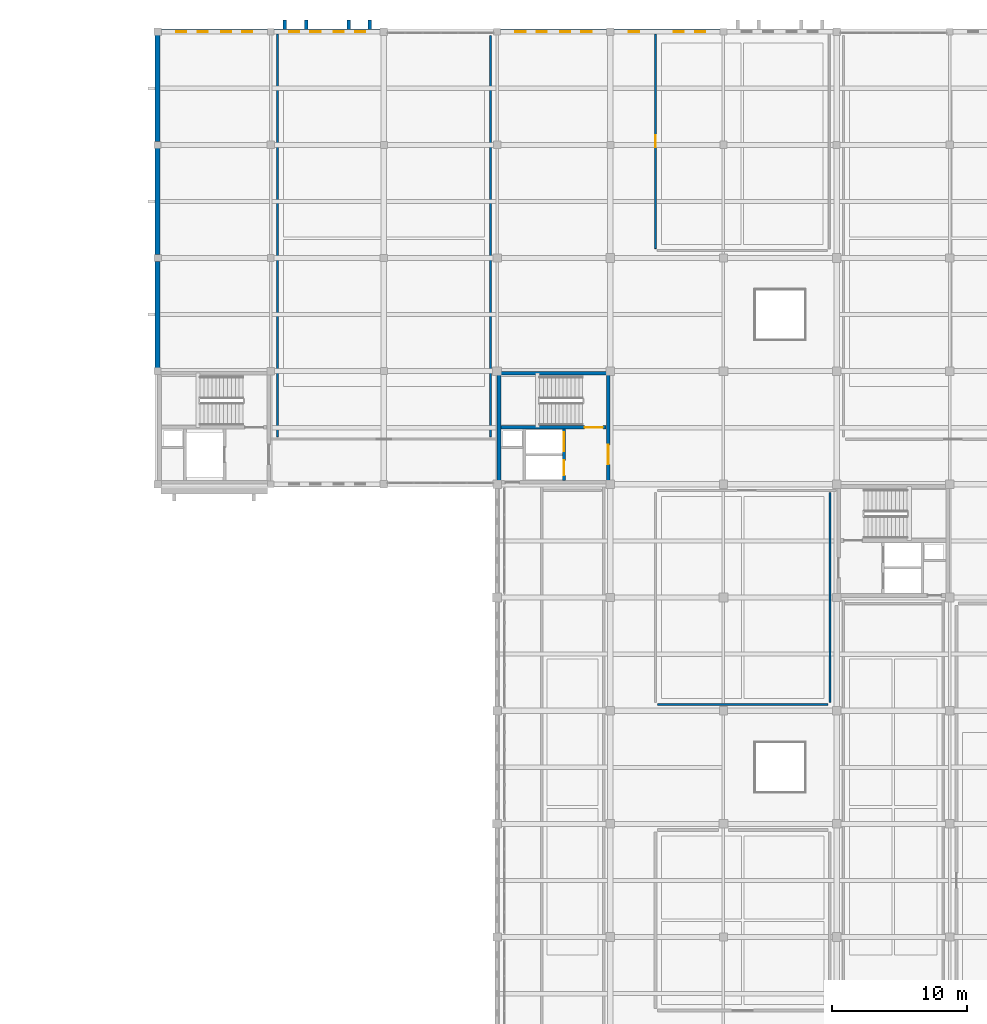
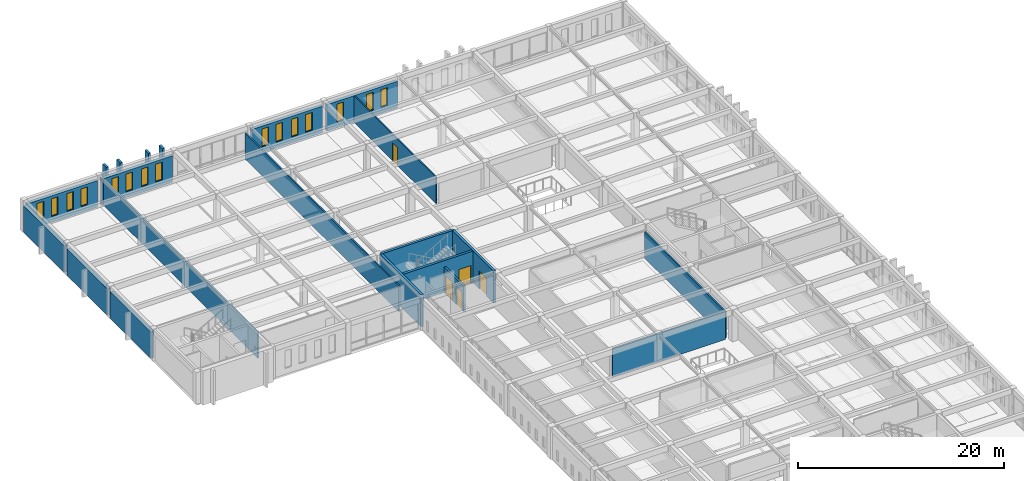
# One storey, part 37 of 47: 21 walls, 15 windows, 5 doors, 20 openings.
"""IFC4 building model written with IfcOpenShell, lengths in metres."""

from ifc_helpers import new_model, si_unit, direction, frame, frame_2d, origin, place, context, subcontext, project, spatial, rectangle, extrude, material, layer, layer_set, type_object, element, fill, save


model = new_model("IFC4")

# Units and contexts
model_context = context("Model", 3, precision=1e-05, world=origin(), true_north=direction((0.0, 1.0)))
body_context = subcontext(model_context, "Body", "Model", "MODEL_VIEW")
ifc_project = project(units=[si_unit("LENGTHUNIT", "METRE"), si_unit("AREAUNIT", "SQUARE_METRE"), si_unit("VOLUMEUNIT", "CUBIC_METRE"), si_unit("PLANEANGLEUNIT", "RADIAN"), si_unit("MASSUNIT", "GRAM", prefix="KILO")], contexts=[model_context])

# Site, building, storey
site_placement = place(None, origin())
site = spatial("IfcSite", under=ifc_project, at=site_placement, CompositionType="ELEMENT")
building_placement = place(site_placement, origin())
building = spatial("IfcBuilding", under=site, at=building_placement, Name="Kveldsbrygga Polytechnic", CompositionType="ELEMENT")
storey_placement = place(building_placement, frame((0.0, 0.0, 13.93994140625)))
storey = spatial("IfcBuildingStorey", under=building, at=storey_placement, Name="L03", CompositionType="ELEMENT", Elevation=13.93994140625)

# Walls
ifc_material_1 = material(Name="Fired clay brick masonry M10", Category="masonry")
ifc_layer_1 = layer(ifc_material_1, 0.360107421875)
ifc_layer_set_1 = layer_set([ifc_layer_1], Name="Fired clay brick masonry M10")
wall_type_1 = type_object("IfcWallType", Name="EW-BRICK-360", PredefinedType="SOLIDWALL", material=ifc_layer_set_1)
for number, where, z_axis, x_axis, name in (
    (1, (100.800048828125, 92.64501953125, 0.0), (0.0, 0.0, 1.0), (0.0, 1.0, 0.0), "Exterior Brick Wall EW-L03-Y-12-11"),
    (2, (100.800048828125, 101.06005859375, 0.0), (0.0, 0.0, 1.0), (0.0, 1.0, 0.0), "Exterior Brick Wall EW-L03-Y-12-12"),
):
    element("IfcWall", number, at=place(storey_placement, frame(where, z_axis=z_axis, x_axis=x_axis)), inside=storey, type_object=wall_type_1, Name=name, PredefinedType="SOLIDWALL", context=body_context, shape_type="SweptSolid", body=[
        extrude(rectangle(XDim=7.89501953125, YDim=0.360107421875, at=frame_2d((3.947509765625, 0.0))), origin(), (0.0, 0.0, 1.0), 3.150146484375),
    ])

# Wall, openings, windows
wall_1_placement = place(storey_placement, frame((101.06005859375, 117.60009765625, 0.0), z_axis=(0.0, 0.0, 1.0), x_axis=(1.0, 0.0, 0.0)))
wall_1 = element("IfcWall", 3, at=wall_1_placement, inside=storey, type_object=wall_type_1, Name="Exterior Brick Wall EW-L03-X-12-14", PredefinedType="SOLIDWALL", context=body_context, shape_type="SweptSolid", body=[
    extrude(rectangle(XDim=7.905029296875, YDim=0.360107421875, at=frame_2d((3.95263671875, 0.0))), origin(), (0.0, 0.0, 1.0), 3.150146484375),
])
opening_1_placement = place(wall_1_placement, frame((1.126953125, 0.0, 0.699951171875)))
opening_1 = element("IfcOpeningElement", 4, at=opening_1_placement, cuts=wall_1, Name="Opening W-27", PredefinedType="OPENING", context=body_context, shape_type="SweptSolid", body=[
    extrude(rectangle(XDim=0.75, YDim=2.10009765625, at=frame_2d((0.375, 1.050048828125))), frame((0.0, 0.18994140625, 0.0), z_axis=(0.0, -1.0, 0.0), x_axis=(1.0, 0.0, 0.0)), (0.0, 0.0, 1.0), 0.380126953125),
])
opening_2_placement = place(wall_1_placement, frame((2.7080078125, 0.0, 0.699951171875)))
opening_2 = element("IfcOpeningElement", 5, at=opening_2_placement, cuts=wall_1, Name="Opening W-27", PredefinedType="OPENING", context=body_context, shape_type="SweptSolid", body=[
    extrude(rectangle(XDim=0.75, YDim=2.10009765625, at=frame_2d((0.375, 1.050048828125))), frame((0.0, 0.18994140625, 0.0), z_axis=(0.0, -1.0, 0.0), x_axis=(1.0, 0.0, 0.0)), (0.0, 0.0, 1.0), 0.380126953125),
])
opening_3_placement = place(wall_1_placement, frame((4.447021484375, 0.0, 0.699951171875)))
opening_3 = element("IfcOpeningElement", 6, at=opening_3_placement, cuts=wall_1, Name="Opening W-27", PredefinedType="OPENING", context=body_context, shape_type="SweptSolid", body=[
    extrude(rectangle(XDim=0.75, YDim=2.10009765625, at=frame_2d((0.375, 1.050048828125))), frame((0.0, 0.18994140625, 0.0), z_axis=(0.0, -1.0, 0.0), x_axis=(1.0, 0.0, 0.0)), (0.0, 0.0, 1.0), 0.380126953125),
])
opening_4_placement = place(wall_1_placement, frame((6.028076171875, 0.0, 0.699951171875)))
opening_4 = element("IfcOpeningElement", 7, at=opening_4_placement, cuts=wall_1, Name="Opening W-27", PredefinedType="OPENING", context=body_context, shape_type="SweptSolid", body=[
    extrude(rectangle(XDim=0.75, YDim=2.10009765625, at=frame_2d((0.375, 1.050048828125))), frame((0.0, 0.18994140625, 0.0), z_axis=(0.0, -1.0, 0.0), x_axis=(1.0, 0.0, 0.0)), (0.0, 0.0, 1.0), 0.380126953125),
])
ifc_material_2 = material(Name="Insulated triple low-E glass", Category="glass")
window_type = type_object("IfcWindowType", Name="WN-ATTIC-075x210", PartitioningType="DOUBLE_PANEL_VERTICAL", PredefinedType="WINDOW", material=ifc_material_2)
window_1_placement = place(opening_1_placement, origin())
window_1 = element("IfcWindow", 8, at=window_1_placement, inside=storey, type_object=window_type, Name="Gothic Lancet Window WIN-L03-X-12-14-1", OverallHeight=2.10009765625, OverallWidth=0.75, PartitioningType="DOUBLE_PANEL_VERTICAL", PredefinedType="WINDOW", context=body_context, shape_type="SweptSolid", body=[
    extrude(rectangle(XDim=0.75, YDim=2.10009765625, at=frame_2d((0.375, 1.050048828125))), frame((0.0, 0.030029296875, 0.0), z_axis=(0.0, -1.0, 0.0), x_axis=(1.0, 0.0, 0.0)), (0.0, 0.0, 1.0), 0.06005859375),
])
fill(opening_1, window_1)
window_2_placement = place(opening_2_placement, origin())
window_2 = element("IfcWindow", 9, at=window_2_placement, inside=storey, type_object=window_type, Name="Gothic Lancet Window WIN-L03-X-12-14-2", OverallHeight=2.10009765625, OverallWidth=0.75, PartitioningType="DOUBLE_PANEL_VERTICAL", PredefinedType="WINDOW", context=body_context, shape_type="SweptSolid", body=[
    extrude(rectangle(XDim=0.75, YDim=2.10009765625, at=frame_2d((0.375, 1.050048828125))), frame((0.0, 0.030029296875, 0.0), z_axis=(0.0, -1.0, 0.0), x_axis=(1.0, 0.0, 0.0)), (0.0, 0.0, 1.0), 0.06005859375),
])
fill(opening_2, window_2)
window_3_placement = place(opening_3_placement, origin())
window_3 = element("IfcWindow", 10, at=window_3_placement, inside=storey, type_object=window_type, Name="Gothic Lancet Window WIN-L03-X-12-14-3", OverallHeight=2.10009765625, OverallWidth=0.75, PartitioningType="DOUBLE_PANEL_VERTICAL", PredefinedType="WINDOW", context=body_context, shape_type="SweptSolid", body=[
    extrude(rectangle(XDim=0.75, YDim=2.10009765625, at=frame_2d((0.375, 1.050048828125))), frame((0.0, 0.030029296875, 0.0), z_axis=(0.0, -1.0, 0.0), x_axis=(1.0, 0.0, 0.0)), (0.0, 0.0, 1.0), 0.06005859375),
])
fill(opening_3, window_3)
window_4_placement = place(opening_4_placement, origin())
window_4 = element("IfcWindow", 11, at=window_4_placement, inside=storey, type_object=window_type, Name="Gothic Lancet Window WIN-L03-X-12-14-4", OverallHeight=2.10009765625, OverallWidth=0.75, PartitioningType="DOUBLE_PANEL_VERTICAL", PredefinedType="WINDOW", context=body_context, shape_type="SweptSolid", body=[
    extrude(rectangle(XDim=0.75, YDim=2.10009765625, at=frame_2d((0.375, 1.050048828125))), frame((0.0, 0.030029296875, 0.0), z_axis=(0.0, -1.0, 0.0), x_axis=(1.0, 0.0, 0.0)), (0.0, 0.0, 1.0), 0.06005859375),
])
fill(opening_4, window_4)

# Wall
wall_2_placement = place(storey_placement, frame((100.800048828125, 109.445068359375, 0.0), z_axis=(0.0, 0.0, 1.0), x_axis=(0.0, 1.0, 0.0)))
element("IfcWall", 12, at=wall_2_placement, inside=storey, type_object=wall_type_1, Name="Exterior Brick Wall EW-L03-Y-12-13", PredefinedType="SOLIDWALL", context=body_context, shape_type="SweptSolid", body=[
    extrude(rectangle(XDim=7.89501953125, YDim=0.360107421875, at=frame_2d((3.947509765625, 0.0))), origin(), (0.0, 0.0, 1.0), 3.150146484375),
])

# Wall, openings, windows
wall_3_placement = place(storey_placement, frame((109.43505859375, 117.60009765625, 0.0), z_axis=(0.0, 0.0, 1.0), x_axis=(1.0, 0.0, 0.0)))
wall_3 = element("IfcWall", 13, at=wall_3_placement, inside=storey, type_object=wall_type_1, Name="Exterior Brick Wall EW-L03-X-13-14", PredefinedType="SOLIDWALL", context=body_context, shape_type="SweptSolid", body=[
    extrude(rectangle(XDim=7.905029296875, YDim=0.360107421875, at=frame_2d((3.95263671875, 0.0))), origin(), (0.0, 0.0, 1.0), 3.150146484375),
])
opening_5_placement = place(wall_3_placement, frame((1.126953125, 0.0, 0.699951171875)))
opening_5 = element("IfcOpeningElement", 14, at=opening_5_placement, cuts=wall_3, Name="Opening W-27", PredefinedType="OPENING", context=body_context, shape_type="SweptSolid", body=[
    extrude(rectangle(XDim=0.75, YDim=2.10009765625, at=frame_2d((0.375, 1.050048828125))), frame((0.0, 0.18994140625, 0.0), z_axis=(0.0, -1.0, 0.0), x_axis=(1.0, 0.0, 0.0)), (0.0, 0.0, 1.0), 0.380126953125),
])
opening_6_placement = place(wall_3_placement, frame((2.7080078125, 0.0, 0.699951171875)))
opening_6 = element("IfcOpeningElement", 15, at=opening_6_placement, cuts=wall_3, Name="Opening W-27", PredefinedType="OPENING", context=body_context, shape_type="SweptSolid", body=[
    extrude(rectangle(XDim=0.75, YDim=2.10009765625, at=frame_2d((0.375, 1.050048828125))), frame((0.0, 0.18994140625, 0.0), z_axis=(0.0, -1.0, 0.0), x_axis=(1.0, 0.0, 0.0)), (0.0, 0.0, 1.0), 0.380126953125),
])
opening_7_placement = place(wall_3_placement, frame((4.447021484375, 0.0, 0.699951171875)))
opening_7 = element("IfcOpeningElement", 16, at=opening_7_placement, cuts=wall_3, Name="Opening W-27", PredefinedType="OPENING", context=body_context, shape_type="SweptSolid", body=[
    extrude(rectangle(XDim=0.75, YDim=2.10009765625, at=frame_2d((0.375, 1.050048828125))), frame((0.0, 0.18994140625, 0.0), z_axis=(0.0, -1.0, 0.0), x_axis=(1.0, 0.0, 0.0)), (0.0, 0.0, 1.0), 0.380126953125),
])
opening_8_placement = place(wall_3_placement, frame((6.028076171875, 0.0, 0.699951171875)))
opening_8 = element("IfcOpeningElement", 17, at=opening_8_placement, cuts=wall_3, Name="Opening W-27", PredefinedType="OPENING", context=body_context, shape_type="SweptSolid", body=[
    extrude(rectangle(XDim=0.75, YDim=2.10009765625, at=frame_2d((0.375, 1.050048828125))), frame((0.0, 0.18994140625, 0.0), z_axis=(0.0, -1.0, 0.0), x_axis=(1.0, 0.0, 0.0)), (0.0, 0.0, 1.0), 0.380126953125),
])
window_5_placement = place(opening_5_placement, origin())
window_5 = element("IfcWindow", 18, at=window_5_placement, inside=storey, type_object=window_type, Name="Gothic Lancet Window WIN-L03-X-13-14-1", OverallHeight=2.10009765625, OverallWidth=0.75, PartitioningType="DOUBLE_PANEL_VERTICAL", PredefinedType="WINDOW", context=body_context, shape_type="SweptSolid", body=[
    extrude(rectangle(XDim=0.75, YDim=2.10009765625, at=frame_2d((0.375, 1.050048828125))), frame((0.0, 0.030029296875, 0.0), z_axis=(0.0, -1.0, 0.0), x_axis=(1.0, 0.0, 0.0)), (0.0, 0.0, 1.0), 0.06005859375),
])
fill(opening_5, window_5)
window_6_placement = place(opening_6_placement, origin())
window_6 = element("IfcWindow", 19, at=window_6_placement, inside=storey, type_object=window_type, Name="Gothic Lancet Window WIN-L03-X-13-14-2", OverallHeight=2.10009765625, OverallWidth=0.75, PartitioningType="DOUBLE_PANEL_VERTICAL", PredefinedType="WINDOW", context=body_context, shape_type="SweptSolid", body=[
    extrude(rectangle(XDim=0.75, YDim=2.10009765625, at=frame_2d((0.375, 1.050048828125))), frame((0.0, 0.030029296875, 0.0), z_axis=(0.0, -1.0, 0.0), x_axis=(1.0, 0.0, 0.0)), (0.0, 0.0, 1.0), 0.06005859375),
])
fill(opening_6, window_6)
window_7_placement = place(opening_7_placement, origin())
window_7 = element("IfcWindow", 20, at=window_7_placement, inside=storey, type_object=window_type, Name="Gothic Lancet Window WIN-L03-X-13-14-3", OverallHeight=2.10009765625, OverallWidth=0.75, PartitioningType="DOUBLE_PANEL_VERTICAL", PredefinedType="WINDOW", context=body_context, shape_type="SweptSolid", body=[
    extrude(rectangle(XDim=0.75, YDim=2.10009765625, at=frame_2d((0.375, 1.050048828125))), frame((0.0, 0.030029296875, 0.0), z_axis=(0.0, -1.0, 0.0), x_axis=(1.0, 0.0, 0.0)), (0.0, 0.0, 1.0), 0.06005859375),
])
fill(opening_7, window_7)
window_8_placement = place(opening_8_placement, origin())
window_8 = element("IfcWindow", 21, at=window_8_placement, inside=storey, type_object=window_type, Name="Gothic Lancet Window WIN-L03-X-13-14-4", OverallHeight=2.10009765625, OverallWidth=0.75, PartitioningType="DOUBLE_PANEL_VERTICAL", PredefinedType="WINDOW", context=body_context, shape_type="SweptSolid", body=[
    extrude(rectangle(XDim=0.75, YDim=2.10009765625, at=frame_2d((0.375, 1.050048828125))), frame((0.0, 0.030029296875, 0.0), z_axis=(0.0, -1.0, 0.0), x_axis=(1.0, 0.0, 0.0)), (0.0, 0.0, 1.0), 0.06005859375),
])
fill(opening_8, window_8)

wall_4_placement = place(storey_placement, frame((126.235107421875, 117.60009765625, 0.0), z_axis=(0.0, 0.0, 1.0), x_axis=(1.0, 0.0, 0.0)))
wall_4 = element("IfcWall", 22, at=wall_4_placement, inside=storey, type_object=wall_type_1, Name="Exterior Brick Wall EW-L03-X-15-14", PredefinedType="SOLIDWALL", context=body_context, shape_type="SweptSolid", body=[
    extrude(rectangle(XDim=7.90478515625, YDim=0.360107421875, at=frame_2d((3.952392578125, 0.0))), origin(), (0.0, 0.0, 1.0), 3.150146484375),
])
opening_9_placement = place(wall_4_placement, frame((1.126953125, 0.0, 0.699951171875)))
opening_9 = element("IfcOpeningElement", 23, at=opening_9_placement, cuts=wall_4, Name="Opening W-27", PredefinedType="OPENING", context=body_context, shape_type="SweptSolid", body=[
    extrude(rectangle(XDim=0.75, YDim=2.10009765625, at=frame_2d((0.375, 1.050048828125))), frame((0.0, 0.18994140625, 0.0), z_axis=(0.0, -1.0, 0.0), x_axis=(1.0, 0.0, 0.0)), (0.0, 0.0, 1.0), 0.380126953125),
])
opening_10_placement = place(wall_4_placement, frame((2.7080078125, 0.0, 0.699951171875)))
opening_10 = element("IfcOpeningElement", 24, at=opening_10_placement, cuts=wall_4, Name="Opening W-27", PredefinedType="OPENING", context=body_context, shape_type="SweptSolid", body=[
    extrude(rectangle(XDim=0.75, YDim=2.10009765625, at=frame_2d((0.375, 1.050048828125))), frame((0.0, 0.18994140625, 0.0), z_axis=(0.0, -1.0, 0.0), x_axis=(1.0, 0.0, 0.0)), (0.0, 0.0, 1.0), 0.380126953125),
])
opening_11_placement = place(wall_4_placement, frame((4.447021484375, 0.0, 0.699951171875)))
opening_11 = element("IfcOpeningElement", 25, at=opening_11_placement, cuts=wall_4, Name="Opening W-27", PredefinedType="OPENING", context=body_context, shape_type="SweptSolid", body=[
    extrude(rectangle(XDim=0.75, YDim=2.10009765625, at=frame_2d((0.375, 1.050048828125))), frame((0.0, 0.18994140625, 0.0), z_axis=(0.0, -1.0, 0.0), x_axis=(1.0, 0.0, 0.0)), (0.0, 0.0, 1.0), 0.380126953125),
])
opening_12_placement = place(wall_4_placement, frame((6.028076171875, 0.0, 0.699951171875)))
opening_12 = element("IfcOpeningElement", 26, at=opening_12_placement, cuts=wall_4, Name="Opening W-27", PredefinedType="OPENING", context=body_context, shape_type="SweptSolid", body=[
    extrude(rectangle(XDim=0.75, YDim=2.10009765625, at=frame_2d((0.375, 1.050048828125))), frame((0.0, 0.18994140625, 0.0), z_axis=(0.0, -1.0, 0.0), x_axis=(1.0, 0.0, 0.0)), (0.0, 0.0, 1.0), 0.380126953125),
])
window_9_placement = place(opening_9_placement, origin())
window_9 = element("IfcWindow", 27, at=window_9_placement, inside=storey, type_object=window_type, Name="Gothic Lancet Window WIN-L03-X-15-14-1", OverallHeight=2.10009765625, OverallWidth=0.75, PartitioningType="DOUBLE_PANEL_VERTICAL", PredefinedType="WINDOW", context=body_context, shape_type="SweptSolid", body=[
    extrude(rectangle(XDim=0.75, YDim=2.10009765625, at=frame_2d((0.375, 1.050048828125))), frame((0.0, 0.030029296875, 0.0), z_axis=(0.0, -1.0, 0.0), x_axis=(1.0, 0.0, 0.0)), (0.0, 0.0, 1.0), 0.06005859375),
])
fill(opening_9, window_9)
window_10_placement = place(opening_10_placement, origin())
window_10 = element("IfcWindow", 28, at=window_10_placement, inside=storey, type_object=window_type, Name="Gothic Lancet Window WIN-L03-X-15-14-2", OverallHeight=2.10009765625, OverallWidth=0.75, PartitioningType="DOUBLE_PANEL_VERTICAL", PredefinedType="WINDOW", context=body_context, shape_type="SweptSolid", body=[
    extrude(rectangle(XDim=0.75, YDim=2.10009765625, at=frame_2d((0.375, 1.050048828125))), frame((0.0, 0.030029296875, 0.0), z_axis=(0.0, -1.0, 0.0), x_axis=(1.0, 0.0, 0.0)), (0.0, 0.0, 1.0), 0.06005859375),
])
fill(opening_10, window_10)
window_11_placement = place(opening_11_placement, origin())
window_11 = element("IfcWindow", 29, at=window_11_placement, inside=storey, type_object=window_type, Name="Gothic Lancet Window WIN-L03-X-15-14-3", OverallHeight=2.10009765625, OverallWidth=0.75, PartitioningType="DOUBLE_PANEL_VERTICAL", PredefinedType="WINDOW", context=body_context, shape_type="SweptSolid", body=[
    extrude(rectangle(XDim=0.75, YDim=2.10009765625, at=frame_2d((0.375, 1.050048828125))), frame((0.0, 0.030029296875, 0.0), z_axis=(0.0, -1.0, 0.0), x_axis=(1.0, 0.0, 0.0)), (0.0, 0.0, 1.0), 0.06005859375),
])
fill(opening_11, window_11)
window_12_placement = place(opening_12_placement, origin())
window_12 = element("IfcWindow", 30, at=window_12_placement, inside=storey, type_object=window_type, Name="Gothic Lancet Window WIN-L03-X-15-14-4", OverallHeight=2.10009765625, OverallWidth=0.75, PartitioningType="DOUBLE_PANEL_VERTICAL", PredefinedType="WINDOW", context=body_context, shape_type="SweptSolid", body=[
    extrude(rectangle(XDim=0.75, YDim=2.10009765625, at=frame_2d((0.375, 1.050048828125))), frame((0.0, 0.030029296875, 0.0), z_axis=(0.0, -1.0, 0.0), x_axis=(1.0, 0.0, 0.0)), (0.0, 0.0, 1.0), 0.06005859375),
])
fill(opening_12, window_12)

wall_5_placement = place(storey_placement, frame((134.659912109375, 117.60009765625, 0.0), z_axis=(0.0, 0.0, 1.0), x_axis=(1.0, 0.0, 0.0)))
wall_5 = element("IfcWall", 31, at=wall_5_placement, inside=storey, type_object=wall_type_1, Name="Exterior Brick Wall EW-L03-X-16-14", PredefinedType="SOLIDWALL", context=body_context, shape_type="SweptSolid", body=[
    extrude(rectangle(XDim=7.905029296875, YDim=0.360107421875, at=frame_2d((3.95263671875, 0.0))), origin(), (0.0, 0.0, 1.0), 3.150146484375),
])
opening_13_placement = place(wall_5_placement, frame((1.126953125, 0.0, 0.699951171875)))
opening_13 = element("IfcOpeningElement", 32, at=opening_13_placement, cuts=wall_5, Name="Opening W-27", PredefinedType="OPENING", context=body_context, shape_type="SweptSolid", body=[
    extrude(rectangle(XDim=0.75, YDim=2.10009765625, at=frame_2d((0.375, 1.050048828125))), frame((0.0, 0.18994140625, 0.0), z_axis=(0.0, -1.0, 0.0), x_axis=(1.0, 0.0, 0.0)), (0.0, 0.0, 1.0), 0.380126953125),
])
opening_14_placement = place(wall_5_placement, frame((4.447021484375, 0.0, 0.699951171875)))
opening_14 = element("IfcOpeningElement", 33, at=opening_14_placement, cuts=wall_5, Name="Opening W-27", PredefinedType="OPENING", context=body_context, shape_type="SweptSolid", body=[
    extrude(rectangle(XDim=0.75, YDim=2.10009765625, at=frame_2d((0.375, 1.050048828125))), frame((0.0, 0.18994140625, 0.0), z_axis=(0.0, -1.0, 0.0), x_axis=(1.0, 0.0, 0.0)), (0.0, 0.0, 1.0), 0.380126953125),
])
opening_15_placement = place(wall_5_placement, frame((6.028076171875, 0.0, 0.699951171875)))
opening_15 = element("IfcOpeningElement", 34, at=opening_15_placement, cuts=wall_5, Name="Opening W-27", PredefinedType="OPENING", context=body_context, shape_type="SweptSolid", body=[
    extrude(rectangle(XDim=0.75, YDim=2.10009765625, at=frame_2d((0.375, 1.050048828125))), frame((0.0, 0.18994140625, 0.0), z_axis=(0.0, -1.0, 0.0), x_axis=(1.0, 0.0, 0.0)), (0.0, 0.0, 1.0), 0.380126953125),
])
window_13_placement = place(opening_13_placement, origin())
window_13 = element("IfcWindow", 35, at=window_13_placement, inside=storey, type_object=window_type, Name="Gothic Lancet Window WIN-L03-X-16-14-1", OverallHeight=2.10009765625, OverallWidth=0.75, PartitioningType="DOUBLE_PANEL_VERTICAL", PredefinedType="WINDOW", context=body_context, shape_type="SweptSolid", body=[
    extrude(rectangle(XDim=0.75, YDim=2.10009765625, at=frame_2d((0.375, 1.050048828125))), frame((0.0, 0.030029296875, 0.0), z_axis=(0.0, -1.0, 0.0), x_axis=(1.0, 0.0, 0.0)), (0.0, 0.0, 1.0), 0.06005859375),
])
fill(opening_13, window_13)
window_14_placement = place(opening_14_placement, origin())
window_14 = element("IfcWindow", 36, at=window_14_placement, inside=storey, type_object=window_type, Name="Gothic Lancet Window WIN-L03-X-16-14-3", OverallHeight=2.10009765625, OverallWidth=0.75, PartitioningType="DOUBLE_PANEL_VERTICAL", PredefinedType="WINDOW", context=body_context, shape_type="SweptSolid", body=[
    extrude(rectangle(XDim=0.75, YDim=2.10009765625, at=frame_2d((0.375, 1.050048828125))), frame((0.0, 0.030029296875, 0.0), z_axis=(0.0, -1.0, 0.0), x_axis=(1.0, 0.0, 0.0)), (0.0, 0.0, 1.0), 0.06005859375),
])
fill(opening_14, window_14)
window_15_placement = place(opening_15_placement, origin())
window_15 = element("IfcWindow", 37, at=window_15_placement, inside=storey, type_object=window_type, Name="Gothic Lancet Window WIN-L03-X-16-14-4", OverallHeight=2.10009765625, OverallWidth=0.75, PartitioningType="DOUBLE_PANEL_VERTICAL", PredefinedType="WINDOW", context=body_context, shape_type="SweptSolid", body=[
    extrude(rectangle(XDim=0.75, YDim=2.10009765625, at=frame_2d((0.375, 1.050048828125))), frame((0.0, 0.030029296875, 0.0), z_axis=(0.0, -1.0, 0.0), x_axis=(1.0, 0.0, 0.0)), (0.0, 0.0, 1.0), 0.06005859375),
])
fill(opening_15, window_15)

# Walls
ifc_layer_2 = layer(ifc_material_1, 0.260009765625)
ifc_layer_set_2 = layer_set([ifc_layer_2], Name="Fired clay brick masonry M10")
wall_type_2 = type_object("IfcWallType", Name="EW-BUTT-260", PredefinedType="SOLIDWALL", material=ifc_layer_set_2)
for number, where, z_axis, x_axis, name in (
    (38, (110.25, 117.764892578125, 0.0), (0.0, 0.0, 1.0), (0.0, 1.0, 0.0), "Gothic Brick Buttress Pier BUTT-L03-X-13-14-1"),
    (39, (111.820068359375, 117.764892578125, 0.0), (0.0, 0.0, 1.0), (0.0, 1.0, 0.0), "Gothic Brick Buttress Pier BUTT-L03-X-13-14-2"),
    (40, (114.97998046875, 117.764892578125, 0.0), (0.0, 0.0, 1.0), (0.0, 1.0, 0.0), "Gothic Brick Buttress Pier BUTT-L03-X-13-14-4"),
    (41, (116.550048828125, 117.764892578125, 0.0), (0.0, 0.0, 1.0), (0.0, 1.0, 0.0), "Gothic Brick Buttress Pier BUTT-L03-X-13-14-5"),
):
    element("IfcWall", number, at=place(storey_placement, frame(where, z_axis=z_axis, x_axis=x_axis)), inside=storey, type_object=wall_type_2, Name=name, PredefinedType="SOLIDWALL", context=body_context, shape_type="SweptSolid", body=[
        extrude(rectangle(XDim=0.7001953125, YDim=0.260009765625, at=frame_2d((0.35009765625, 0.0))), origin(), (0.0, 0.0, 1.0), 4.080078125),
    ])

# Wall, opening, door
ifc_material_3 = material(Name="Moisture-resistant masonry M10", Category="masonry")
ifc_layer_3 = layer(ifc_material_3, 0.1298828125)
ifc_layer_set_3 = layer_set([ifc_layer_3], Name="Moisture-resistant masonry M10")
wall_type_3 = type_object("IfcWallType", Name="IW-SAN-130", PredefinedType="PARTITIONING", material=ifc_layer_set_3)
wall_6_placement = place(storey_placement, frame((137.75, 101.5, 0.0), z_axis=(0.0, 0.0, 1.0), x_axis=(0.0, 1.0, 0.0)))
wall_6 = element("IfcWall", 42, at=wall_6_placement, inside=storey, type_object=wall_type_3, Name="Partition Wall IW-SP-L03-WC1-W1", PredefinedType="PARTITIONING", context=body_context, shape_type="SweptSolid", body=[
    extrude(rectangle(XDim=15.919921875, YDim=0.1298828125, at=frame_2d((7.9599609375, 0.0))), origin(), (0.0, 0.0, 1.0), 3.130126953125),
])
opening_16_placement = place(wall_6_placement, frame((7.510009765625, 0.0, 0.0)))
opening_16 = element("IfcOpeningElement", 43, at=opening_16_placement, cuts=wall_6, Name="Opening ID-L03-078", PredefinedType="OPENING", context=body_context, shape_type="SweptSolid", body=[
    extrude(rectangle(XDim=0.89990234375, YDim=2.10009765625, at=frame_2d((0.449951171875, 1.050048828125))), frame((0.0, 0.074951171875, 0.0), z_axis=(0.0, -1.0, 0.0), x_axis=(1.0, 0.0, 0.0)), (0.0, 0.0, 1.0), 0.14990234375),
])
ifc_material_4 = material(Name="Acoustic oak timber", Category="wood")
door_type_1 = type_object("IfcDoorType", Name="ID-SAN-090x210", OperationType="NOTDEFINED", PredefinedType="DOOR", material=ifc_material_4)
door_1_placement = place(opening_16_placement, origin())
door_1 = element("IfcDoor", 44, at=door_1_placement, inside=storey, type_object=door_type_1, Name="Interior Door ID-L03-078", OperationType="SINGLE_SWING_LEFT", OverallHeight=2.10009765625, OverallWidth=0.89990234375, PredefinedType="DOOR", context=body_context, shape_type="SweptSolid", body=[
    extrude(rectangle(XDim=0.89990234375, YDim=2.10009765625, at=frame_2d((0.449951171875, 1.050048828125))), frame((0.0, 0.02490234375, 0.0), z_axis=(0.0, -1.0, 0.0), x_axis=(1.0, 0.0, 0.0)), (0.0, 0.0, 1.0), 0.050048828125),
])
fill(opening_16, door_1)

# Walls
ifc_material_5 = material(Name="Gypsum acoustic stud partition")
ifc_layer_4 = layer(ifc_material_5, 0.14990234375)
ifc_layer_set_4 = layer_set([ifc_layer_4], Name="Gypsum acoustic stud partition")
wall_type_4 = type_object("IfcWallType", Name="IW-SEM-150", PredefinedType="PARTITIONING", material=ifc_layer_set_4)
wall_7_placement = place(storey_placement, frame((109.699951171875, 87.5, 0.0), z_axis=(0.0, 0.0, 1.0), x_axis=(0.0, 1.0, 0.0)))
element("IfcWall", 45, at=wall_7_placement, inside=storey, type_object=wall_type_4, Name="Partition Wall IW-SP-L03-SEM31-W1", PredefinedType="PARTITIONING", context=body_context, shape_type="SweptSolid", body=[
    extrude(rectangle(XDim=29.919921875, YDim=0.14990234375, at=frame_2d((14.9599609375, 0.0))), origin(), (0.0, 0.0, 1.0), 3.050048828125),
])
wall_8_placement = place(storey_placement, frame((125.5, 87.5, 0.0), z_axis=(0.0, 0.0, 1.0), x_axis=(0.0, 1.0, 0.0)))
element("IfcWall", 46, at=wall_8_placement, inside=storey, type_object=wall_type_4, Name="Partition Wall IW-SP-L03-SEM31-E1", PredefinedType="PARTITIONING", context=body_context, shape_type="SweptSolid", body=[
    extrude(rectangle(XDim=29.820068359375, YDim=0.14990234375, at=frame_2d((14.91015625, 0.0))), origin(), (0.0, 0.0, 1.0), 3.050048828125),
])
ifc_layer_5 = layer(ifc_material_5, 0.159912109375)
ifc_layer_set_5 = layer_set([ifc_layer_5], Name="Gypsum acoustic stud partition")
wall_type_5 = type_object("IfcWallType", Name="IW-STD-160", PredefinedType="PARTITIONING", material=ifc_layer_set_5)
wall_9_placement = place(storey_placement, frame((150.699951171875, 67.800048828125, 0.0), z_axis=(0.0, 0.0, 1.0), x_axis=(0.0, 1.0, 0.0)))
element("IfcWall", 47, at=wall_9_placement, inside=storey, type_object=wall_type_5, Name="Partition Wall IW-SP-L03-STD32-E1", PredefinedType="PARTITIONING", context=body_context, shape_type="SweptSolid", body=[
    extrude(rectangle(XDim=15.599853515625, YDim=0.159912109375, at=frame_2d((7.7998046875, 0.0))), origin(), (0.0, 0.0, 1.0), 3.130126953125),
])
wall_10_placement = place(storey_placement, frame((137.89990234375, 67.64990234375, 0.0), z_axis=(0.0, 0.0, 1.0), x_axis=(1.0, 0.0, 0.0)))
element("IfcWall", 48, at=wall_10_placement, inside=storey, type_object=wall_type_5, Name="Partition Wall IW-SP-L03-STD32-S1", PredefinedType="PARTITIONING", context=body_context, shape_type="SweptSolid", body=[
    extrude(rectangle(XDim=12.650146484375, YDim=0.159912109375, at=frame_2d((6.3251953125, 0.0))), origin(), (0.0, 0.0, 1.0), 3.35009765625),
])
ifc_material_6 = material(Name="Concrete C45/55", Category="concrete")
ifc_layer_6 = layer(ifc_material_6, 0.280029296875)
ifc_layer_set_6 = layer_set([ifc_layer_6], Name="Concrete C45/55")
wall_type_6 = type_object("IfcWallType", Name="WL-CORE-280", PredefinedType="SHEAR", material=ifc_layer_set_6)
for number, where, z_axis, x_axis, name in (
    (49, (126.14990234375, 92.25, 0.0), (0.0, 0.0, 1.0), (1.0, 0.0, 0.0), "Core C2 Shear Wall C2-L03-SW-N"),
    (50, (126.14990234375, 84.14990234375, 0.0), (0.0, 0.0, 1.0), (0.0, 1.0, 0.0), "Core C2 Shear Wall C2-L03-SW-W"),
):
    element("IfcWall", number, at=place(storey_placement, frame(where, z_axis=z_axis, x_axis=x_axis)), inside=storey, type_object=wall_type_6, Name=name, PredefinedType="SHEAR", context=body_context, shape_type="SweptSolid", body=[
        extrude(rectangle(XDim=8.10009765625, YDim=0.280029296875, at=frame_2d((4.050048828125, 0.0))), origin(), (0.0, 0.0, 1.0), 3.780029296875),
    ])

# Wall, opening, door
wall_11_placement = place(storey_placement, frame((134.25, 84.14990234375, 0.0), z_axis=(0.0, 0.0, 1.0), x_axis=(0.0, 1.0, 0.0)))
wall_11 = element("IfcWall", 51, at=wall_11_placement, inside=storey, type_object=wall_type_6, Name="Core C2 Shear Wall C2-L03-SW-E", PredefinedType="SHEAR", context=body_context, shape_type="SweptSolid", body=[
    extrude(rectangle(XDim=8.10009765625, YDim=0.280029296875, at=frame_2d((4.050048828125, 0.0))), origin(), (0.0, 0.0, 1.0), 3.780029296875),
])
opening_17_placement = place(wall_11_placement, frame((1.324951171875, 0.0, 0.0)))
opening_17 = element("IfcOpeningElement", 52, at=opening_17_placement, cuts=wall_11, Name="Opening FD-C2-L03-LOB", PredefinedType="OPENING", context=body_context, shape_type="SweptSolid", body=[
    extrude(rectangle(XDim=1.449951171875, YDim=2.14990234375, at=frame_2d((0.72509765625, 1.074951171875))), frame((0.0, 0.14990234375, 0.0), z_axis=(0.0, -1.0, 0.0), x_axis=(1.0, 0.0, 0.0)), (0.0, 0.0, 1.0), 0.300048828125),
])
ifc_material_7 = material(Name="Powder-coated galvanised steel", Category="steel")
door_type_2 = type_object("IfcDoorType", Name="ID-LOBBY-145x215", OperationType="DOUBLE_DOOR_SINGLE_SWING", PredefinedType="DOOR", material=ifc_material_7)
door_2_placement = place(opening_17_placement, origin())
door_2 = element("IfcDoor", 53, at=door_2_placement, inside=storey, type_object=door_type_2, Name="Core Lobby Fire Door FD-C2-L03-LOB", OperationType="DOUBLE_DOOR_SINGLE_SWING", OverallHeight=2.14990234375, OverallWidth=1.449951171875, PredefinedType="DOOR", context=body_context, shape_type="SweptSolid", body=[
    extrude(rectangle(XDim=1.449951171875, YDim=2.14990234375, at=frame_2d((0.72509765625, 1.074951171875))), frame((0.0, 0.02490234375, 0.0), z_axis=(0.0, -1.0, 0.0), x_axis=(1.0, 0.0, 0.0)), (0.0, 0.0, 1.0), 0.050048828125),
])
fill(opening_17, door_2)

wall_12_placement = place(storey_placement, frame((126.300048828125, 88.22998046875, 0.0), z_axis=(0.0, 0.0, 1.0), x_axis=(1.0, 0.0, 0.0)))
wall_12 = element("IfcWall", 54, at=wall_12_placement, inside=storey, type_object=wall_type_6, Name="Core C2 Shear Wall C2-L03-W-DIV", PredefinedType="SHEAR", context=body_context, shape_type="SweptSolid", body=[
    extrude(rectangle(XDim=7.800048828125, YDim=0.280029296875, at=frame_2d((3.89990234375, 0.0))), origin(), (0.0, 0.0, 1.0), 3.780029296875),
])
opening_18_placement = place(wall_12_placement, frame((6.199951171875, 0.0, 0.0)))
opening_18 = element("IfcOpeningElement", 55, at=opening_18_placement, cuts=wall_12, Name="Opening FD-C2-L03-ST", PredefinedType="OPENING", context=body_context, shape_type="SweptSolid", body=[
    extrude(rectangle(XDim=1.35009765625, YDim=2.14990234375, at=frame_2d((0.675048828125, 1.074951171875))), frame((0.0, 0.14990234375, 0.0), z_axis=(0.0, -1.0, 0.0), x_axis=(1.0, 0.0, 0.0)), (0.0, 0.0, 1.0), 0.300048828125),
])
door_type_3 = type_object("IfcDoorType", Name="ID-STAIR-135x215", OperationType="NOTDEFINED", PredefinedType="DOOR", material=ifc_material_7)
door_3_placement = place(opening_18_placement, origin())
door_3 = element("IfcDoor", 56, at=door_3_placement, inside=storey, type_object=door_type_3, Name="Stair Fire Door FD-C2-L03-ST", OperationType="SINGLE_SWING_LEFT", OverallHeight=2.14990234375, OverallWidth=1.35009765625, PredefinedType="DOOR", context=body_context, shape_type="SweptSolid", body=[
    extrude(rectangle(XDim=1.35009765625, YDim=2.14990234375, at=frame_2d((0.675048828125, 1.074951171875))), frame((0.0, 0.02490234375, 0.0), z_axis=(0.0, -1.0, 0.0), x_axis=(1.0, 0.0, 0.0)), (0.0, 0.0, 1.0), 0.050048828125),
])
fill(opening_18, door_3)

# Wall, openings, doors
ifc_material_8 = material(Name="Concrete C35/45", Category="concrete")
ifc_layer_7 = layer(ifc_material_8, 0.199951171875)
ifc_layer_set_7 = layer_set([ifc_layer_7], Name="Concrete C35/45")
wall_type_7 = type_object("IfcWallType", Name="WL-SHFT-200", PredefinedType="SHEAR", material=ifc_layer_set_7)
wall_13_placement = place(storey_placement, frame((130.9599609375, 84.300048828125, 0.0), z_axis=(0.0, 0.0, 1.0), x_axis=(0.0, 1.0, 0.0)))
wall_13 = element("IfcWall", 57, at=wall_13_placement, inside=storey, type_object=wall_type_7, Name="Lift Front Wall C2-L03-W-LFR", PredefinedType="SHEAR", context=body_context, shape_type="SweptSolid", body=[
    extrude(rectangle(XDim=3.800048828125, YDim=0.199951171875, at=frame_2d((1.89990234375, 0.0))), origin(), (0.0, 0.0, 1.0), 3.050048828125),
])
opening_19_placement = place(wall_13_placement, frame((0.375, 0.0, 0.0)))
opening_19 = element("IfcOpeningElement", 58, at=opening_19_placement, cuts=wall_13, Name="Opening LD-LP-2", PredefinedType="OPENING", context=body_context, shape_type="SweptSolid", body=[
    extrude(rectangle(XDim=1.10009765625, YDim=2.14990234375, at=frame_2d((0.550048828125, 1.074951171875))), frame((0.0, 0.10986328125, 0.0), z_axis=(0.0, -1.0, 0.0), x_axis=(1.0, 0.0, 0.0)), (0.0, 0.0, 1.0), 0.219970703125),
])
opening_20_placement = place(wall_13_placement, frame((2.175048828125, 0.0, 0.0)))
opening_20 = element("IfcOpeningElement", 59, at=opening_20_placement, cuts=wall_13, Name="Opening LD-GL-1", PredefinedType="OPENING", context=body_context, shape_type="SweptSolid", body=[
    extrude(rectangle(XDim=1.39990234375, YDim=2.199951171875, at=frame_2d((0.699951171875, 1.10009765625))), frame((0.0, 0.10986328125, 0.0), z_axis=(0.0, -1.0, 0.0), x_axis=(1.0, 0.0, 0.0)), (0.0, 0.0, 1.0), 0.219970703125),
])
ifc_material_9 = material(Name="Brushed stainless steel EN 1.4401", Category="steel")
door_type_4 = type_object("IfcDoorType", Name="LD-GDS-140x220", OperationType="SLIDING_TO_LEFT", PredefinedType="DOOR", material=ifc_material_9)
door_4_placement = place(opening_20_placement, origin())
door_4 = element("IfcDoor", 60, at=door_4_placement, inside=storey, type_object=door_type_4, Name="Lift Landing Sliding Door LD-GL-1-L03", OperationType="SLIDING_TO_LEFT", OverallHeight=2.199951171875, OverallWidth=1.39990234375, PredefinedType="DOOR", context=body_context, shape_type="SweptSolid", body=[
    extrude(rectangle(XDim=1.39990234375, YDim=2.199951171875, at=frame_2d((0.699951171875, 1.10009765625))), frame((0.0, 0.02490234375, 0.0), z_axis=(0.0, -1.0, 0.0), x_axis=(1.0, 0.0, 0.0)), (0.0, 0.0, 1.0), 0.050048828125),
])
fill(opening_20, door_4)
door_type_5 = type_object("IfcDoorType", Name="LD-PAX-110x215", OperationType="SLIDING_TO_LEFT", PredefinedType="DOOR", material=ifc_material_9)
door_5_placement = place(opening_19_placement, origin())
door_5 = element("IfcDoor", 61, at=door_5_placement, inside=storey, type_object=door_type_5, Name="Lift Landing Sliding Door LD-LP-2-L03", OperationType="SLIDING_TO_LEFT", OverallHeight=2.14990234375, OverallWidth=1.10009765625, PredefinedType="DOOR", context=body_context, shape_type="SweptSolid", body=[
    extrude(rectangle(XDim=1.10009765625, YDim=2.14990234375, at=frame_2d((0.550048828125, 1.074951171875))), frame((0.0, 0.02490234375, 0.0), z_axis=(0.0, -1.0, 0.0), x_axis=(1.0, 0.0, 0.0)), (0.0, 0.0, 1.0), 0.050048828125),
])
fill(opening_19, door_5)

save(model, "model.ifc")
